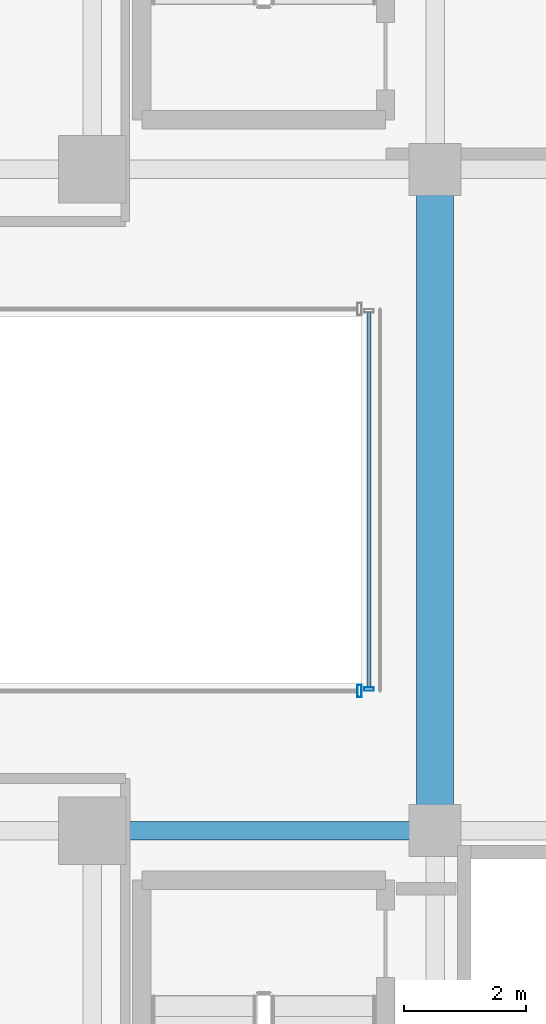
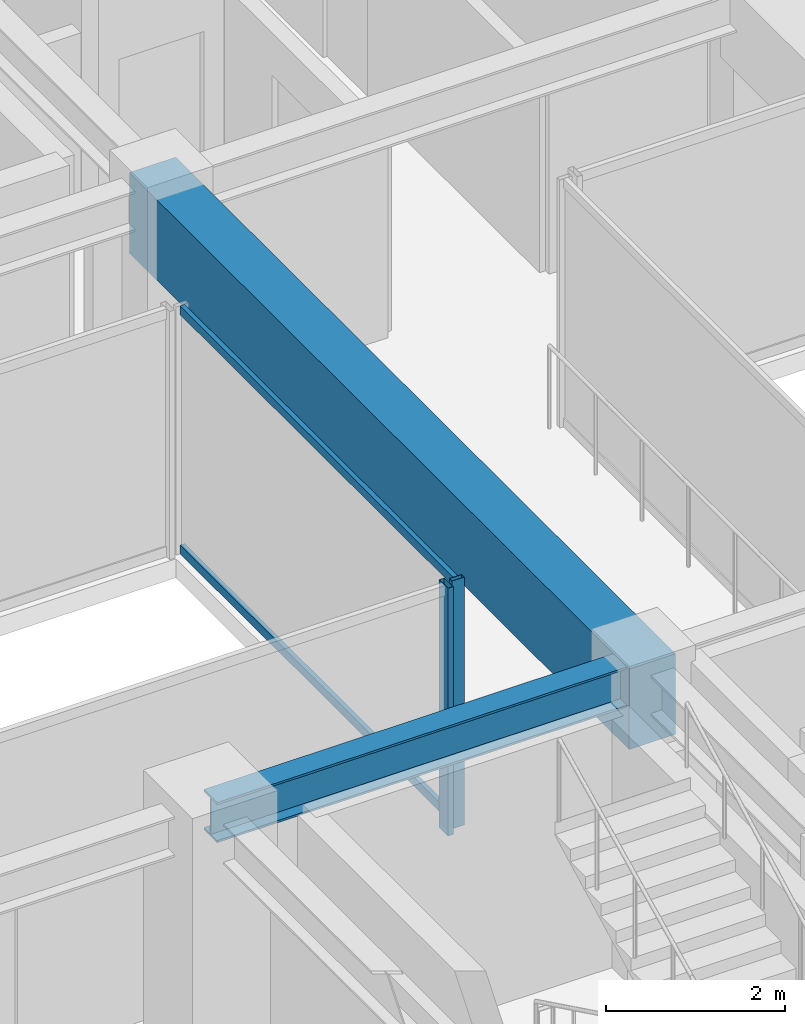
# One storey, part 11 of 41: 4 members, 2 beams, 2 elements without a shape of their own.
"""IFC4 building model written with IfcOpenShell, lengths in metres."""

from ifc_helpers import new_model, si_unit, direction, frame, origin, origin_2d, place, context, subcontext, project, spatial, rectangle, hollow_rectangle, i_section, extrude, source, transform, mapped, material, material_profile, profile_set, type_object, element, aggregate, save


model = new_model("IFC4")

# Units and contexts
model_context = context("Model", 3, precision=1e-05, world=origin(), true_north=direction((0.0, 1.0)))
body_context = subcontext(model_context, "Body", "Model", "MODEL_VIEW")
ifc_project = project(units=[si_unit("LENGTHUNIT", "METRE"), si_unit("AREAUNIT", "SQUARE_METRE"), si_unit("VOLUMEUNIT", "CUBIC_METRE"), si_unit("PLANEANGLEUNIT", "RADIAN"), si_unit("MASSUNIT", "GRAM", prefix="KILO")], contexts=[model_context])

# Site, building, storey
site_placement = place(None, origin())
site = spatial("IfcSite", under=ifc_project, at=site_placement, CompositionType="ELEMENT")
building_placement = place(site_placement, origin())
building = spatial("IfcBuilding", under=site, at=building_placement, Name="Nahalor Promenade Grand Hotel", CompositionType="ELEMENT")
storey_placement = place(building_placement, frame((0.0, 0.0, 159.949951171875)))
storey = spatial("IfcBuildingStorey", under=building, at=storey_placement, Name="L40", CompositionType="ELEMENT", Elevation=159.949951171875)

# Beams
ifc_material_1 = material(Name="Concrete B-60 (C50/60)", Category="concrete")
ifc_material_profile_1 = material_profile(ifc_material_1, rectangle(XDim=0.6, YDim=1.1, at=origin_2d()), Name="RC 600x1100")
ifc_profile_set_1 = profile_set([ifc_material_profile_1], Name="Concrete B-60 (C50/60)")
beam_type_1 = type_object("IfcBeamType", Name="Beam-Lintel-RC1100", PredefinedType="LINTEL", material=ifc_profile_set_1)
shared_shape_1 = source(origin(), body_context, "Body", "SweptSolid", [
    extrude(rectangle(XDim=0.6, YDim=1.1, at=origin_2d()), origin(), (0.0, 0.0, 1.0), 11.2001953125),
])
beam_1_placement = place(storey_placement, frame((8.39990234375, -5.60009765625, 2.840087890625), z_axis=(0.0, 1.0, 0.0), x_axis=(-1.0, 0.0, 0.0)))
element("IfcBeam", 1, at=beam_1_placement, inside=storey, type_object=beam_type_1, Name="BM-L40-LINT-W", PredefinedType="LINTEL", context=body_context, shape_type="MappedRepresentation", body=[
    mapped(shared_shape_1, transform((0.0, 0.0, 0.0), scale=1.0)),
])
ifc_material_2 = material(Name="Steel S355JR", Category="steel")
ifc_material_profile_2 = material_profile(ifc_material_2, i_section(OverallWidth=0.3, OverallDepth=0.55, WebThickness=0.015, FlangeThickness=0.029, at=origin_2d()), Name="HEB 550")
ifc_profile_set_2 = profile_set([ifc_material_profile_2], Name="Steel S355JR")
beam_type_2 = type_object("IfcBeamType", Name="Beam-Girder-HEB550", PredefinedType="BEAM", material=ifc_profile_set_2)
shared_shape_2 = source(origin(), body_context, "Body", "SweptSolid", [
    extrude(i_section(OverallWidth=0.3, OverallDepth=0.55, WebThickness=0.015, FlangeThickness=0.029, at=origin_2d()), origin(), (0.0, 0.0, 1.0), 5.599853515625),
])
beam_2_placement = place(storey_placement, frame((2.800048828125, -5.39990234375, 3.114990234375), z_axis=(1.0, 0.0, 0.0), x_axis=(0.0, 1.0, 0.0)))
element("IfcBeam", 2, at=beam_2_placement, inside=storey, type_object=beam_type_2, Name="BM-L40-GX-1-4", PredefinedType="BEAM", context=body_context, shape_type="MappedRepresentation", body=[
    mapped(shared_shape_2, transform((0.0, 0.0, 0.0), scale=1.0)),
])

# Curtain wall, members
ifc_material_3 = material(Name="Anodised Bronze Aluminium EN AW-6063 T6", Category="aluminium")
curtain_wall_type_1 = type_object("IfcCurtainWallType", Name="CW4 Low-Iron Sky-Gallery Bridge Curtain Wall", PredefinedType="USERDEFINED", material=ifc_material_3)
curtain_wall_1_placement = place(storey_placement, origin())
curtain_wall_1 = element("IfcCurtainWall", 3, at=curtain_wall_1_placement, inside=storey, type_object=curtain_wall_type_1, Name="L40 Curtain Wall CW-L40-BRG-W", ObjectType="UNITISED_CURTAIN_WALL", PredefinedType="USERDEFINED")
ifc_material_profile_3 = material_profile(ifc_material_3, hollow_rectangle(XDim=0.06, YDim=0.12, WallThickness=0.004, at=origin_2d()), Name="CWT 60x120x4")
ifc_profile_set_3 = profile_set([ifc_material_profile_3], Name="Anodised Bronze Aluminium EN AW-6063 T6")
member_type_1 = type_object("IfcMemberType", Name="CWT4 Sky-Gallery Slim Transom 60x120", PredefinedType="USERDEFINED", material=ifc_profile_set_3)
shared_shape_3 = source(origin(), body_context, "Body", "SweptSolid", [
    extrude(hollow_rectangle(XDim=0.06, YDim=0.12, WallThickness=0.004, at=origin_2d()), origin(), (0.0, 0.0, 1.0), 6.1181640625),
])
member_1_placement = place(storey_placement, frame((7.320068359375, -3.05908203125, 0.06005859375), z_axis=(0.0, 1.0, 0.0), x_axis=(-1.0, 0.0, 0.0)))
member_1 = element("IfcMember", 4, at=member_1_placement, type_object=member_type_1, Name="CW-L40-BRG-W Transom 0-0", ObjectType="TRANSOM", PredefinedType="USERDEFINED", context=body_context, shape_type="MappedRepresentation", body=[
    mapped(shared_shape_3, transform((0.0, 0.0, 0.0), scale=1.0)),
])
member_2_placement = place(storey_placement, frame((7.320068359375, -3.05908203125, 3.330078125), z_axis=(0.0, 1.0, 0.0), x_axis=(-1.0, 0.0, 0.0)))
member_2 = element("IfcMember", 5, at=member_2_placement, type_object=member_type_1, Name="CW-L40-BRG-W Transom 0-1", ObjectType="TRANSOM", PredefinedType="USERDEFINED", context=body_context, shape_type="MappedRepresentation", body=[
    mapped(shared_shape_3, transform((0.0, 0.0, 0.0), scale=1.0)),
])

# Curtain wall, member
curtain_wall_type_2 = type_object("IfcCurtainWallType", Name="CW3 Elliptical-Void Collar Unitised Curtain Wall", PredefinedType="USERDEFINED", material=ifc_material_3)
curtain_wall_2_placement = place(storey_placement, origin())
curtain_wall_2 = element("IfcCurtainWall", 6, at=curtain_wall_2_placement, inside=storey, type_object=curtain_wall_type_2, Name="L40 Curtain Wall CW-L40-VOID-WS1", ObjectType="UNITISED_CURTAIN_WALL", PredefinedType="USERDEFINED")
ifc_material_profile_4 = material_profile(ifc_material_3, hollow_rectangle(XDim=0.07, YDim=0.2, WallThickness=0.005, at=origin_2d()), Name="CWM 70x200x5")
ifc_profile_set_4 = profile_set([ifc_material_profile_4], Name="Anodised Bronze Aluminium EN AW-6063 T6")
member_type_2 = type_object("IfcMemberType", Name="CWM3 Void Collar Mullion 70x200", PredefinedType="MULLION", material=ifc_profile_set_4)
shared_shape_4 = source(origin(), body_context, "Body", "SweptSolid", [
    extrude(hollow_rectangle(XDim=0.07, YDim=0.2, WallThickness=0.005, at=origin_2d()), origin(), (0.0, 0.0, 1.0), 3.39013671875),
])
member_3_placement = place(storey_placement, frame((7.1650390625, -3.118896484375, 0.0), z_axis=(0.0, 0.0, 1.0), x_axis=(1.0, 0.0, 0.0)))
member_3 = element("IfcMember", 7, at=member_3_placement, type_object=member_type_2, Name="CW-L40-VOID-WS1 Mullion 3", PredefinedType="MULLION", context=body_context, shape_type="MappedRepresentation", body=[
    mapped(shared_shape_4, transform((0.0, 0.0, 0.0), scale=1.0)),
])
aggregate(curtain_wall_2, [member_3])

# Member
ifc_material_profile_5 = material_profile(ifc_material_3, hollow_rectangle(XDim=0.06, YDim=0.16, WallThickness=0.004, at=origin_2d()), Name="CWM 60x160x4")
ifc_profile_set_5 = profile_set([ifc_material_profile_5], Name="Anodised Bronze Aluminium EN AW-6063 T6")
member_type_3 = type_object("IfcMemberType", Name="CWM4 Sky-Gallery Slim Mullion 60x160", PredefinedType="MULLION", material=ifc_profile_set_5)
shared_shape_5 = source(origin(), body_context, "Body", "SweptSolid", [
    extrude(hollow_rectangle(XDim=0.06, YDim=0.16, WallThickness=0.004, at=origin_2d()), origin(), (0.0, 0.0, 1.0), 3.39013671875),
])
member_4_placement = place(storey_placement, frame((7.320068359375, -3.089111328125, 0.0), z_axis=(0.0, 0.0, 1.0), x_axis=(0.0, 1.0, 0.0)))
member_4 = element("IfcMember", 8, at=member_4_placement, type_object=member_type_3, Name="CW-L40-BRG-W Mullion 0", PredefinedType="MULLION", context=body_context, shape_type="MappedRepresentation", body=[
    mapped(shared_shape_5, transform((0.0, 0.0, 0.0), scale=1.0)),
])

aggregate(curtain_wall_1, [member_4, member_1, member_2])

save(model, "model.ifc")
